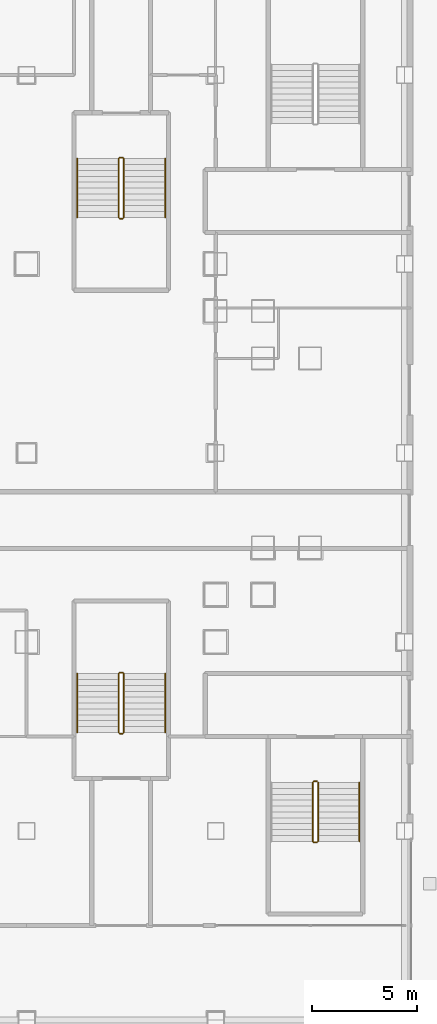
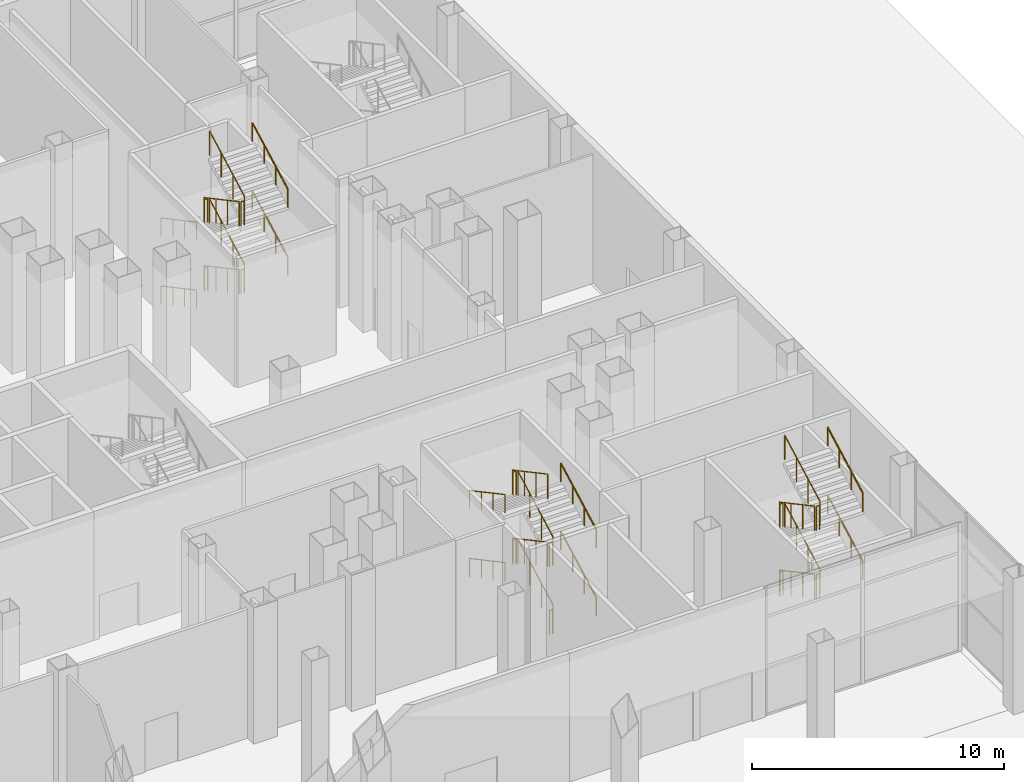
# One storey, part 35 of 38: 34 railings.
"""IFC4 building model written with IfcOpenShell, lengths in metres."""

import ifcopenshell
import ifcopenshell.guid

model = None  # the IFC model being written
_history = None  # IfcOwnerHistory: only IFC2X3 demands one
_inside = {}  # id of a spatial element -> (the spatial element, [elements in it])
_under = {}  # id of a project, library or spatial element -> (it, [spatial elements below it])
_declared = {}  # id of a project -> (the project, [libraries it declares])
_typed = {}  # id of a type object -> (the type object, [elements of that type])
_made_of = {}  # id of a material, layer set ... -> (it, [elements and type objects made of it])


def new_model(schema):
    """Start an empty IFC model of exactly this schema.

    Asked for "IFC4X3", IfcOpenShell would pick the latest addendum, in which some entities
    have other attributes; the version numbers below select the first issue.
    IFC2X3 requires an IfcOwnerHistory on every rooted entity: one is made here for all.
    """
    global model, _history
    if schema == "IFC4X3":
        model = ifcopenshell.file(schema_version=(4, 3, 0, 0))
    else:
        model = ifcopenshell.file(schema=schema)
    _inside.clear()
    _under.clear()
    _declared.clear()
    _typed.clear()
    _made_of.clear()
    _history = None
    if model.schema == "IFC2X3":
        org = make("IfcOrganization", Name="unknown")
        user = make(
            "IfcPersonAndOrganization",
            ThePerson=make("IfcPerson", FamilyName="unknown"),
            TheOrganization=org,
        )
        app = make(
            "IfcApplication",
            ApplicationDeveloper=org,
            Version="unknown",
            ApplicationFullName="unknown",
            ApplicationIdentifier="unknown",
        )
        _history = make(
            "IfcOwnerHistory",
            OwningUser=user,
            OwningApplication=app,
            ChangeAction="ADDED",
            CreationDate=0,
        )
    return model


def make(cls, **values):
    """One entity of the class cls with the attributes given. An attribute that is None is left unset."""
    return model.create_entity(
        cls, **{name: value for name, value in values.items() if value is not None}
    )


def rooted(cls, **values):
    """An entity with a GlobalId (a new one), such as an element, a storey or a relation."""
    return make(cls, GlobalId=ifcopenshell.guid.new(), OwnerHistory=_history, **values)


def si_unit(unit_type, name, prefix=None):
    """IfcSIUnit, for example si_unit("LENGTHUNIT", "METRE", prefix="MILLI")."""
    return make("IfcSIUnit", UnitType=unit_type, Prefix=prefix, Name=name)


def assignment(units):
    """IfcUnitAssignment: the units of a project."""
    return None if units is None else make("IfcUnitAssignment", Units=units)


def point(xyz):
    """IfcCartesianPoint."""
    return None if xyz is None else make("IfcCartesianPoint", Coordinates=xyz)


def direction(xyz):
    """IfcDirection."""
    return None if xyz is None else make("IfcDirection", DirectionRatios=xyz)


def frame(location, z_axis=None, x_axis=None):
    """IfcAxis2Placement3D, a coordinate frame: its origin and axes. An axis left out is left unset."""
    return make(
        "IfcAxis2Placement3D",
        Location=point(location),
        Axis=direction(z_axis),
        RefDirection=direction(x_axis),
    )


def frame_2d(location, x_axis=None):
    """IfcAxis2Placement2D, a coordinate frame in the plane: its origin and x axis."""
    return make(
        "IfcAxis2Placement2D", Location=point(location), RefDirection=direction(x_axis)
    )


def origin():
    """The frame at (0, 0, 0) with its axes left unset."""
    return frame((0.0, 0.0, 0.0))


def origin_2d():
    """The frame at (0, 0) in the plane with its x axis left unset."""
    return frame_2d((0.0, 0.0))


def place(relative_to, where):
    """IfcLocalPlacement: puts the frame where relative to a parent placement (None: the world)."""
    return make(
        "IfcLocalPlacement", PlacementRelTo=relative_to, RelativePlacement=where
    )


def context(
    kind, dimensions, precision=None, world=None, true_north=None, identifier=None
):
    """IfcGeometricRepresentationContext, for example the 3D "Model" context."""
    return make(
        "IfcGeometricRepresentationContext",
        ContextIdentifier=identifier,
        ContextType=kind,
        CoordinateSpaceDimension=dimensions,
        Precision=precision,
        WorldCoordinateSystem=world,
        TrueNorth=true_north,
    )


def subcontext(parent, identifier, kind, view, scale=None):
    """IfcGeometricRepresentationSubContext, for example "Body" below "Model"."""
    return make(
        "IfcGeometricRepresentationSubContext",
        ContextIdentifier=identifier,
        ContextType=kind,
        ParentContext=parent,
        TargetScale=scale,
        TargetView=view,
    )


def project(units=None, contexts=None):
    """IfcProject with its units and contexts."""
    return rooted(
        "IfcProject",
        Name="project",
        RepresentationContexts=contexts,
        UnitsInContext=assignment(units),
    )


def spatial(cls, under=None, at=None, **own):
    """A site, building, storey or space (cls), placed at a placement, below another one or the project."""
    s = rooted(cls, ObjectPlacement=at, **own)
    if under is not None:
        _under.setdefault(under.id(), (under, []))[1].append(s)
    return s


def profile(cls, at=None, kind="AREA", **sizes):
    """A parametric profile (cls). Its sizes go by their IFC names, for example OverallWidth=200.0."""
    return make(cls, ProfileType=kind, Position=at, **sizes)


def circle(**sizes):
    """IfcCircleProfileDef."""
    return profile("IfcCircleProfileDef", **sizes)


def extrude(swept, where, along, depth):
    """IfcExtrudedAreaSolid: the profile swept, set in the frame where, extruded along a direction by depth."""
    return make(
        "IfcExtrudedAreaSolid",
        SweptArea=swept,
        Position=where,
        ExtrudedDirection=direction(along),
        Depth=depth,
    )


def shape(context_of_items, identifier, shape_type, items):
    """IfcShapeRepresentation: the items that make up one representation, for example the "Body"."""
    return make(
        "IfcShapeRepresentation",
        ContextOfItems=context_of_items,
        RepresentationIdentifier=identifier,
        RepresentationType=shape_type,
        Items=items,
    )


def material(Name=None, Category=None):
    """IfcMaterial."""
    return make("IfcMaterial", Name=Name, Category=Category)


def made_of(thing, what):
    """Note that an element or type object is made of a material, layer set ...; save() writes the relation."""
    if what is not None:
        _made_of.setdefault(what.id(), (what, []))[1].append(thing)
    return thing


def type_object(cls, material=None, **own):
    """A type object (cls), such as IfcWallType, which elements share."""
    return made_of(rooted(cls, **own), material)


def element(
    cls,
    number,
    at=None,
    inside=None,
    cuts=None,
    type_object=None,
    material=None,
    context=None,
    identifier="Body",
    shape_type=None,
    held_by="IfcProductDefinitionShape",
    body=None,
    shapes=None,
    **own,
):
    """One element of the class cls, such as IfcWall. Its Tag is "e" and its number.

    at: its placement. inside: the storey or other place that contains it. cuts: it is an
    opening in that element (IfcRelVoidsElement). A single representation is given by context,
    identifier, shape_type and body (its items); several are given by shapes. held_by: the class
    of the entity that holds the representations. save() writes the other relations.
    """
    e = rooted(cls, Tag="e%d" % number, ObjectPlacement=at, **own)
    if body is not None:
        shapes = [shape(context, identifier, shape_type, body)]
    if shapes is not None:
        e.Representation = make(held_by, Representations=shapes)
    if inside is not None:
        _inside.setdefault(inside.id(), (inside, []))[1].append(e)
    if cuts is not None:
        rooted(
            "IfcRelVoidsElement", RelatingBuildingElement=cuts, RelatedOpeningElement=e
        )
    if type_object is not None:
        _typed.setdefault(type_object.id(), (type_object, []))[1].append(e)
    return made_of(e, material)


def aggregate(whole, parts):
    """IfcRelAggregates: a whole, such as a stair, and the parts it consists of."""
    return rooted("IfcRelAggregates", RelatingObject=whole, RelatedObjects=parts)


def save(model, path):
    """Write the relations noted so far, then the file.

    IfcRelAggregates (storeys below a building ...), IfcRelContainedInSpatialStructure (elements
    in a storey), IfcRelDefinesByType, IfcRelAssociatesMaterial and IfcRelDeclares: one each for
    every whole, place, type object, material and project.
    """
    for whole, parts in _under.values():
        aggregate(whole, parts)
    for where, things in _inside.values():
        rooted(
            "IfcRelContainedInSpatialStructure",
            RelatedElements=things,
            RelatingStructure=where,
        )
    for kind, things in _typed.values():
        rooted("IfcRelDefinesByType", RelatedObjects=things, RelatingType=kind)
    for what, things in _made_of.values():
        rooted("IfcRelAssociatesMaterial", RelatedObjects=things, RelatingMaterial=what)
    for by, libraries in _declared.values():
        rooted("IfcRelDeclares", RelatingContext=by, RelatedDefinitions=libraries)
    model.write(path)


model = new_model("IFC4")

# Units and contexts
model_context = context("Model", 3, precision=1e-05, world=origin(), true_north=direction((0.0, 1.0)))
body_context = subcontext(model_context, "Body", "Model", "MODEL_VIEW")
ifc_project = project(units=[si_unit("LENGTHUNIT", "METRE"), si_unit("AREAUNIT", "SQUARE_METRE"), si_unit("VOLUMEUNIT", "CUBIC_METRE"), si_unit("PLANEANGLEUNIT", "RADIAN"), si_unit("MASSUNIT", "GRAM", prefix="KILO")], contexts=[model_context])

# Site, building, storey
site_placement = place(None, origin())
site = spatial("IfcSite", under=ifc_project, at=site_placement, CompositionType="ELEMENT")
building_placement = place(site_placement, origin())
building = spatial("IfcBuilding", under=site, at=building_placement, Name="Caravel Reach Hotel and Residences", CompositionType="ELEMENT")
storey_placement = place(building_placement, origin())
storey = spatial("IfcBuildingStorey", under=building, at=storey_placement, Name="L00", CompositionType="ELEMENT", Elevation=0.0)

# Railings
ifc_material_1 = material(Name="Steel balustrade with glass infill", Category="steel")
railing_type_1 = type_object("IfcRailingType", Name="Guard 1200", PredefinedType="GUARDRAIL", material=ifc_material_1)
railing_1_placement = place(storey_placement, frame((53.875, 41.010009765625, 0.14990234375)))
element("IfcRailing", 1, at=railing_1_placement, inside=storey, type_object=railing_type_1, Name="L00 ST-P2 stair guard 1", PredefinedType="GUARDRAIL", context=body_context, shape_type="SweptSolid", body=[
    extrude(circle(Radius=0.02392578125, at=origin_2d()), frame((0.0, 0.0, 1.17578125), z_axis=(0.0, -0.881483397762, 0.472215014025), x_axis=(1.0, 0.0, 0.0)), (0.0, 0.0, 1.0), 3.176513671875),
    extrude(circle(Radius=0.02099609375, at=origin_2d()), origin(), (0.0, 0.0, 1.0), 1.15185546875),
    extrude(circle(Radius=0.02099609375, at=origin_2d()), frame((0.0, -0.933349609375, 0.5)), (0.0, 0.0, 1.0), 1.15185546875),
    extrude(circle(Radius=0.02099609375, at=origin_2d()), frame((0.0, -1.86669921875, 1.0)), (0.0, 0.0, 1.0), 1.15185546875),
    extrude(circle(Radius=0.02099609375, at=origin_2d()), frame((0.0, -2.800048828125, 1.5)), (0.0, 0.0, 1.0), 1.15185546875),
])
railing_2_placement = place(storey_placement, frame((53.925048828125, 38.159912109375, 1.64990234375)))
element("IfcRailing", 2, at=railing_2_placement, inside=storey, type_object=railing_type_1, Name="L00 ST-P2 stair guard 2", PredefinedType="GUARDRAIL", context=body_context, shape_type="SweptSolid", body=[
    extrude(circle(Radius=0.02392578125, at=origin_2d()), frame((0.0, 0.0, 1.17578125), z_axis=(1.0, 0.0, 0.0), x_axis=(0.0, 1.0, 0.0)), (0.0, 0.0, 1.0), 0.14990234375),
    extrude(circle(Radius=0.02099609375, at=origin_2d()), origin(), (0.0, 0.0, 1.0), 1.15185546875),
    extrude(circle(Radius=0.02099609375, at=origin_2d()), frame((0.14990234375, 0.0, 0.0)), (0.0, 0.0, 1.0), 1.15185546875),
])
railing_3_placement = place(storey_placement, frame((54.125, 38.2099609375, 1.800048828125)))
element("IfcRailing", 3, at=railing_3_placement, inside=storey, type_object=railing_type_1, Name="L00 ST-P2 stair guard 3", PredefinedType="GUARDRAIL", context=body_context, shape_type="SweptSolid", body=[
    extrude(circle(Radius=0.02392578125, at=origin_2d()), frame((0.0, 0.0, 1.17578125), z_axis=(0.0, 0.881483397762, 0.472215014025), x_axis=(-1.0, 0.0, 0.0)), (0.0, 0.0, 1.0), 3.176513671875),
    extrude(circle(Radius=0.02099609375, at=origin_2d()), origin(), (0.0, 0.0, 1.0), 1.15185546875),
    extrude(circle(Radius=0.02099609375, at=origin_2d()), frame((0.0, 0.933349609375, 0.5)), (0.0, 0.0, 1.0), 1.15185546875),
    extrude(circle(Radius=0.02099609375, at=origin_2d()), frame((0.0, 1.86669921875, 1.0)), (0.0, 0.0, 1.0), 1.15185546875),
    extrude(circle(Radius=0.02099609375, at=origin_2d()), frame((0.0, 2.800048828125, 1.5)), (0.0, 0.0, 1.0), 1.15185546875),
])
railing_4_placement = place(storey_placement, frame((53.925048828125, 41.06005859375, 3.300048828125)))
element("IfcRailing", 4, at=railing_4_placement, inside=storey, type_object=railing_type_1, Name="L00 ST-P2 stair guard 4", PredefinedType="GUARDRAIL", context=body_context, shape_type="SweptSolid", body=[
    extrude(circle(Radius=0.02392578125, at=origin_2d()), frame((0.0, 0.0, 1.17578125), z_axis=(1.0, 0.0, 0.0), x_axis=(0.0, 1.0, 0.0)), (0.0, 0.0, 1.0), 0.14990234375),
    extrude(circle(Radius=0.02099609375, at=origin_2d()), origin(), (0.0, 0.0, 1.0), 1.15185546875),
    extrude(circle(Radius=0.02099609375, at=origin_2d()), frame((0.14990234375, 0.0, 0.0)), (0.0, 0.0, 1.0), 1.15185546875),
])
railing_5_placement = place(storey_placement, frame((53.875, 41.010009765625, 3.449951171875)))
element("IfcRailing", 5, at=railing_5_placement, inside=storey, type_object=railing_type_1, Name="L00 ST-P2 stair guard 5", PredefinedType="GUARDRAIL", context=body_context, shape_type="SweptSolid", body=[
    extrude(circle(Radius=0.02392578125, at=origin_2d()), frame((0.0, 0.0, 1.17578125), z_axis=(0.0, -0.881483397762, 0.472215014025), x_axis=(1.0, 0.0, 0.0)), (0.0, 0.0, 1.0), 3.176513671875),
    extrude(circle(Radius=0.02099609375, at=origin_2d()), origin(), (0.0, 0.0, 1.0), 1.15185546875),
    extrude(circle(Radius=0.02099609375, at=origin_2d()), frame((0.0, -0.933349609375, 0.5)), (0.0, 0.0, 1.0), 1.15185546875),
    extrude(circle(Radius=0.02099609375, at=origin_2d()), frame((0.0, -1.86669921875, 1.0)), (0.0, 0.0, 1.0), 1.15185546875),
    extrude(circle(Radius=0.02099609375, at=origin_2d()), frame((0.0, -2.800048828125, 1.5)), (0.0, 0.0, 1.0), 1.15185546875),
])
railing_6_placement = place(storey_placement, frame((53.925048828125, 38.159912109375, 4.949951171875)))
element("IfcRailing", 6, at=railing_6_placement, inside=storey, type_object=railing_type_1, Name="L00 ST-P2 stair guard 6", PredefinedType="GUARDRAIL", context=body_context, shape_type="SweptSolid", body=[
    extrude(circle(Radius=0.02392578125, at=origin_2d()), frame((0.0, 0.0, 1.17578125), z_axis=(1.0, 0.0, 0.0), x_axis=(0.0, 1.0, 0.0)), (0.0, 0.0, 1.0), 0.14990234375),
    extrude(circle(Radius=0.02099609375, at=origin_2d()), origin(), (0.0, 0.0, 1.0), 1.15185546875),
    extrude(circle(Radius=0.02099609375, at=origin_2d()), frame((0.14990234375, 0.0, 0.0)), (0.0, 0.0, 1.0), 1.15185546875),
])
railing_7_placement = place(storey_placement, frame((54.125, 38.2099609375, 5.10009765625)))
element("IfcRailing", 7, at=railing_7_placement, inside=storey, type_object=railing_type_1, Name="L00 ST-P2 stair guard 7", PredefinedType="GUARDRAIL", context=body_context, shape_type="SweptSolid", body=[
    extrude(circle(Radius=0.02392578125, at=origin_2d()), frame((0.0, 0.0, 1.17578125), z_axis=(0.0, 0.881483397762, 0.472215014025), x_axis=(-1.0, 0.0, 0.0)), (0.0, 0.0, 1.0), 3.176513671875),
    extrude(circle(Radius=0.02099609375, at=origin_2d()), origin(), (0.0, 0.0, 1.0), 1.15185546875),
    extrude(circle(Radius=0.02099609375, at=origin_2d()), frame((0.0, 0.933349609375, 0.5)), (0.0, 0.0, 1.0), 1.15185546875),
    extrude(circle(Radius=0.02099609375, at=origin_2d()), frame((0.0, 1.86669921875, 1.0)), (0.0, 0.0, 1.0), 1.15185546875),
    extrude(circle(Radius=0.02099609375, at=origin_2d()), frame((0.0, 2.800048828125, 1.5)), (0.0, 0.0, 1.0), 1.15185546875),
])
railing_8_placement = place(storey_placement, frame((53.925048828125, 41.06005859375, 0.0)))
element("IfcRailing", 8, at=railing_8_placement, inside=storey, type_object=railing_type_1, Name="L00 ST-P2 stair guard 8", PredefinedType="GUARDRAIL", context=body_context, shape_type="SweptSolid", body=[
    extrude(circle(Radius=0.02392578125, at=origin_2d()), frame((0.0, 0.0, 1.17578125), z_axis=(1.0, 0.0, 0.0), x_axis=(0.0, 1.0, 0.0)), (0.0, 0.0, 1.0), 0.14990234375),
    extrude(circle(Radius=0.02099609375, at=origin_2d()), origin(), (0.0, 0.0, 1.0), 1.15185546875),
    extrude(circle(Radius=0.02099609375, at=origin_2d()), frame((0.14990234375, 0.0, 0.0)), (0.0, 0.0, 1.0), 1.15185546875),
])
railing_9_placement = place(storey_placement, frame((54.125, 13.68994140625, 0.14990234375)))
element("IfcRailing", 9, at=railing_9_placement, inside=storey, type_object=railing_type_1, Name="L00 ST-P4 stair guard 1", PredefinedType="GUARDRAIL", context=body_context, shape_type="SweptSolid", body=[
    extrude(circle(Radius=0.02392578125, at=origin_2d()), frame((0.0, 0.0, 1.17578125), z_axis=(0.0, 0.881483397762, 0.472215014025), x_axis=(-1.0, 0.0, 0.0)), (0.0, 0.0, 1.0), 3.176513671875),
    extrude(circle(Radius=0.02099609375, at=origin_2d()), origin(), (0.0, 0.0, 1.0), 1.15185546875),
    extrude(circle(Radius=0.02099609375, at=origin_2d()), frame((0.0, 0.933349609375, 0.5)), (0.0, 0.0, 1.0), 1.15185546875),
    extrude(circle(Radius=0.02099609375, at=origin_2d()), frame((0.0, 1.86669921875, 1.0)), (0.0, 0.0, 1.0), 1.15185546875),
    extrude(circle(Radius=0.02099609375, at=origin_2d()), frame((0.0, 2.800048828125, 1.5)), (0.0, 0.0, 1.0), 1.15185546875),
])
railing_10_placement = place(storey_placement, frame((54.074951171875, 16.5400390625, 1.64990234375)))
element("IfcRailing", 10, at=railing_10_placement, inside=storey, type_object=railing_type_1, Name="L00 ST-P4 stair guard 2", PredefinedType="GUARDRAIL", context=body_context, shape_type="SweptSolid", body=[
    extrude(circle(Radius=0.02392578125, at=origin_2d()), frame((0.0, 0.0, 1.17578125), z_axis=(-1.0, 0.0, 0.0), x_axis=(0.0, -1.0, 0.0)), (0.0, 0.0, 1.0), 0.14990234375),
    extrude(circle(Radius=0.02099609375, at=origin_2d()), origin(), (0.0, 0.0, 1.0), 1.15185546875),
    extrude(circle(Radius=0.02099609375, at=origin_2d()), frame((-0.14990234375, 0.0, 0.0)), (0.0, 0.0, 1.0), 1.15185546875),
])
railing_11_placement = place(storey_placement, frame((53.875, 16.489990234375, 1.800048828125)))
element("IfcRailing", 11, at=railing_11_placement, inside=storey, type_object=railing_type_1, Name="L00 ST-P4 stair guard 3", PredefinedType="GUARDRAIL", context=body_context, shape_type="SweptSolid", body=[
    extrude(circle(Radius=0.02392578125, at=origin_2d()), frame((0.0, 0.0, 1.17578125), z_axis=(0.0, -0.881483397762, 0.472215014025), x_axis=(1.0, 0.0, 0.0)), (0.0, 0.0, 1.0), 3.176513671875),
    extrude(circle(Radius=0.02099609375, at=origin_2d()), origin(), (0.0, 0.0, 1.0), 1.15185546875),
    extrude(circle(Radius=0.02099609375, at=origin_2d()), frame((0.0, -0.933349609375, 0.5)), (0.0, 0.0, 1.0), 1.15185546875),
    extrude(circle(Radius=0.02099609375, at=origin_2d()), frame((0.0, -1.86669921875, 1.0)), (0.0, 0.0, 1.0), 1.15185546875),
    extrude(circle(Radius=0.02099609375, at=origin_2d()), frame((0.0, -2.800048828125, 1.5)), (0.0, 0.0, 1.0), 1.15185546875),
])
railing_12_placement = place(storey_placement, frame((54.074951171875, 13.639892578125, 3.300048828125)))
element("IfcRailing", 12, at=railing_12_placement, inside=storey, type_object=railing_type_1, Name="L00 ST-P4 stair guard 4", PredefinedType="GUARDRAIL", context=body_context, shape_type="SweptSolid", body=[
    extrude(circle(Radius=0.02392578125, at=origin_2d()), frame((0.0, 0.0, 1.17578125), z_axis=(-1.0, 0.0, 0.0), x_axis=(0.0, -1.0, 0.0)), (0.0, 0.0, 1.0), 0.14990234375),
    extrude(circle(Radius=0.02099609375, at=origin_2d()), origin(), (0.0, 0.0, 1.0), 1.15185546875),
    extrude(circle(Radius=0.02099609375, at=origin_2d()), frame((-0.14990234375, 0.0, 0.0)), (0.0, 0.0, 1.0), 1.15185546875),
])
railing_13_placement = place(storey_placement, frame((54.125, 13.68994140625, 3.449951171875)))
element("IfcRailing", 13, at=railing_13_placement, inside=storey, type_object=railing_type_1, Name="L00 ST-P4 stair guard 5", PredefinedType="GUARDRAIL", context=body_context, shape_type="SweptSolid", body=[
    extrude(circle(Radius=0.02392578125, at=origin_2d()), frame((0.0, 0.0, 1.17578125), z_axis=(0.0, 0.881483397762, 0.472215014025), x_axis=(-1.0, 0.0, 0.0)), (0.0, 0.0, 1.0), 3.176513671875),
    extrude(circle(Radius=0.02099609375, at=origin_2d()), origin(), (0.0, 0.0, 1.0), 1.15185546875),
    extrude(circle(Radius=0.02099609375, at=origin_2d()), frame((0.0, 0.933349609375, 0.5)), (0.0, 0.0, 1.0), 1.15185546875),
    extrude(circle(Radius=0.02099609375, at=origin_2d()), frame((0.0, 1.86669921875, 1.0)), (0.0, 0.0, 1.0), 1.15185546875),
    extrude(circle(Radius=0.02099609375, at=origin_2d()), frame((0.0, 2.800048828125, 1.5)), (0.0, 0.0, 1.0), 1.15185546875),
])
railing_14_placement = place(storey_placement, frame((54.074951171875, 16.5400390625, 4.949951171875)))
element("IfcRailing", 14, at=railing_14_placement, inside=storey, type_object=railing_type_1, Name="L00 ST-P4 stair guard 6", PredefinedType="GUARDRAIL", context=body_context, shape_type="SweptSolid", body=[
    extrude(circle(Radius=0.02392578125, at=origin_2d()), frame((0.0, 0.0, 1.17578125), z_axis=(-1.0, 0.0, 0.0), x_axis=(0.0, -1.0, 0.0)), (0.0, 0.0, 1.0), 0.14990234375),
    extrude(circle(Radius=0.02099609375, at=origin_2d()), origin(), (0.0, 0.0, 1.0), 1.15185546875),
    extrude(circle(Radius=0.02099609375, at=origin_2d()), frame((-0.14990234375, 0.0, 0.0)), (0.0, 0.0, 1.0), 1.15185546875),
])
railing_15_placement = place(storey_placement, frame((53.875, 16.489990234375, 5.10009765625)))
element("IfcRailing", 15, at=railing_15_placement, inside=storey, type_object=railing_type_1, Name="L00 ST-P4 stair guard 7", PredefinedType="GUARDRAIL", context=body_context, shape_type="SweptSolid", body=[
    extrude(circle(Radius=0.02392578125, at=origin_2d()), frame((0.0, 0.0, 1.17578125), z_axis=(0.0, -0.881483397762, 0.472215014025), x_axis=(1.0, 0.0, 0.0)), (0.0, 0.0, 1.0), 3.176513671875),
    extrude(circle(Radius=0.02099609375, at=origin_2d()), origin(), (0.0, 0.0, 1.0), 1.15185546875),
    extrude(circle(Radius=0.02099609375, at=origin_2d()), frame((0.0, -0.933349609375, 0.5)), (0.0, 0.0, 1.0), 1.15185546875),
    extrude(circle(Radius=0.02099609375, at=origin_2d()), frame((0.0, -1.86669921875, 1.0)), (0.0, 0.0, 1.0), 1.15185546875),
    extrude(circle(Radius=0.02099609375, at=origin_2d()), frame((0.0, -2.800048828125, 1.5)), (0.0, 0.0, 1.0), 1.15185546875),
])
railing_16_placement = place(storey_placement, frame((54.074951171875, 13.639892578125, 0.0)))
element("IfcRailing", 16, at=railing_16_placement, inside=storey, type_object=railing_type_1, Name="L00 ST-P4 stair guard 8", PredefinedType="GUARDRAIL", context=body_context, shape_type="SweptSolid", body=[
    extrude(circle(Radius=0.02392578125, at=origin_2d()), frame((0.0, 0.0, 1.17578125), z_axis=(-1.0, 0.0, 0.0), x_axis=(0.0, -1.0, 0.0)), (0.0, 0.0, 1.0), 0.14990234375),
    extrude(circle(Radius=0.02099609375, at=origin_2d()), origin(), (0.0, 0.0, 1.0), 1.15185546875),
    extrude(circle(Radius=0.02099609375, at=origin_2d()), frame((-0.14990234375, 0.0, 0.0)), (0.0, 0.0, 1.0), 1.15185546875),
])
railing_17_placement = place(storey_placement, frame((63.125, 11.31005859375, 0.14990234375)))
element("IfcRailing", 17, at=railing_17_placement, inside=storey, type_object=railing_type_1, Name="L00 ST-P7 stair guard 1", PredefinedType="GUARDRAIL", context=body_context, shape_type="SweptSolid", body=[
    extrude(circle(Radius=0.02392578125, at=origin_2d()), frame((0.0, 0.0, 1.17578125), z_axis=(0.0, -0.881483397762, 0.472215014025), x_axis=(1.0, 0.0, 0.0)), (0.0, 0.0, 1.0), 3.176513671875),
    extrude(circle(Radius=0.02099609375, at=origin_2d()), origin(), (0.0, 0.0, 1.0), 1.15185546875),
    extrude(circle(Radius=0.02099609375, at=origin_2d()), frame((0.0, -0.933349609375, 0.5)), (0.0, 0.0, 1.0), 1.15185546875),
    extrude(circle(Radius=0.02099609375, at=origin_2d()), frame((0.0, -1.86669921875, 1.0)), (0.0, 0.0, 1.0), 1.15185546875),
    extrude(circle(Radius=0.02099609375, at=origin_2d()), frame((0.0, -2.800048828125, 1.5)), (0.0, 0.0, 1.0), 1.15185546875),
])
railing_18_placement = place(storey_placement, frame((63.175048828125, 8.4599609375, 1.64990234375)))
element("IfcRailing", 18, at=railing_18_placement, inside=storey, type_object=railing_type_1, Name="L00 ST-P7 stair guard 2", PredefinedType="GUARDRAIL", context=body_context, shape_type="SweptSolid", body=[
    extrude(circle(Radius=0.02392578125, at=origin_2d()), frame((0.0, 0.0, 1.17578125), z_axis=(1.0, 0.0, 0.0), x_axis=(0.0, 1.0, 0.0)), (0.0, 0.0, 1.0), 0.14990234375),
    extrude(circle(Radius=0.02099609375, at=origin_2d()), origin(), (0.0, 0.0, 1.0), 1.15185546875),
    extrude(circle(Radius=0.02099609375, at=origin_2d()), frame((0.14990234375, 0.0, 0.0)), (0.0, 0.0, 1.0), 1.15185546875),
])
railing_19_placement = place(storey_placement, frame((63.375, 8.510009765625, 1.800048828125)))
element("IfcRailing", 19, at=railing_19_placement, inside=storey, type_object=railing_type_1, Name="L00 ST-P7 stair guard 3", PredefinedType="GUARDRAIL", context=body_context, shape_type="SweptSolid", body=[
    extrude(circle(Radius=0.02392578125, at=origin_2d()), frame((0.0, 0.0, 1.17578125), z_axis=(0.0, 0.881483397762, 0.472215014025), x_axis=(-1.0, 0.0, 0.0)), (0.0, 0.0, 1.0), 3.176513671875),
    extrude(circle(Radius=0.02099609375, at=origin_2d()), origin(), (0.0, 0.0, 1.0), 1.15185546875),
    extrude(circle(Radius=0.02099609375, at=origin_2d()), frame((0.0, 0.933349609375, 0.5)), (0.0, 0.0, 1.0), 1.15185546875),
    extrude(circle(Radius=0.02099609375, at=origin_2d()), frame((0.0, 1.86669921875, 1.0)), (0.0, 0.0, 1.0), 1.15185546875),
    extrude(circle(Radius=0.02099609375, at=origin_2d()), frame((0.0, 2.800048828125, 1.5)), (0.0, 0.0, 1.0), 1.15185546875),
])
railing_20_placement = place(storey_placement, frame((63.175048828125, 11.360107421875, 3.300048828125)))
element("IfcRailing", 20, at=railing_20_placement, inside=storey, type_object=railing_type_1, Name="L00 ST-P7 stair guard 4", PredefinedType="GUARDRAIL", context=body_context, shape_type="SweptSolid", body=[
    extrude(circle(Radius=0.02392578125, at=origin_2d()), frame((0.0, 0.0, 1.17578125), z_axis=(1.0, 0.0, 0.0), x_axis=(0.0, 1.0, 0.0)), (0.0, 0.0, 1.0), 0.14990234375),
    extrude(circle(Radius=0.02099609375, at=origin_2d()), origin(), (0.0, 0.0, 1.0), 1.15185546875),
    extrude(circle(Radius=0.02099609375, at=origin_2d()), frame((0.14990234375, 0.0, 0.0)), (0.0, 0.0, 1.0), 1.15185546875),
])
railing_21_placement = place(storey_placement, frame((63.125, 11.31005859375, 3.449951171875)))
element("IfcRailing", 21, at=railing_21_placement, inside=storey, type_object=railing_type_1, Name="L00 ST-P7 stair guard 5", PredefinedType="GUARDRAIL", context=body_context, shape_type="SweptSolid", body=[
    extrude(circle(Radius=0.02392578125, at=origin_2d()), frame((0.0, 0.0, 1.17578125), z_axis=(0.0, -0.881483397762, 0.472215014025), x_axis=(1.0, 0.0, 0.0)), (0.0, 0.0, 1.0), 3.176513671875),
    extrude(circle(Radius=0.02099609375, at=origin_2d()), origin(), (0.0, 0.0, 1.0), 1.15185546875),
    extrude(circle(Radius=0.02099609375, at=origin_2d()), frame((0.0, -0.933349609375, 0.5)), (0.0, 0.0, 1.0), 1.15185546875),
    extrude(circle(Radius=0.02099609375, at=origin_2d()), frame((0.0, -1.86669921875, 1.0)), (0.0, 0.0, 1.0), 1.15185546875),
    extrude(circle(Radius=0.02099609375, at=origin_2d()), frame((0.0, -2.800048828125, 1.5)), (0.0, 0.0, 1.0), 1.15185546875),
])
railing_22_placement = place(storey_placement, frame((63.175048828125, 8.4599609375, 4.949951171875)))
element("IfcRailing", 22, at=railing_22_placement, inside=storey, type_object=railing_type_1, Name="L00 ST-P7 stair guard 6", PredefinedType="GUARDRAIL", context=body_context, shape_type="SweptSolid", body=[
    extrude(circle(Radius=0.02392578125, at=origin_2d()), frame((0.0, 0.0, 1.17578125), z_axis=(1.0, 0.0, 0.0), x_axis=(0.0, 1.0, 0.0)), (0.0, 0.0, 1.0), 0.14990234375),
    extrude(circle(Radius=0.02099609375, at=origin_2d()), origin(), (0.0, 0.0, 1.0), 1.15185546875),
    extrude(circle(Radius=0.02099609375, at=origin_2d()), frame((0.14990234375, 0.0, 0.0)), (0.0, 0.0, 1.0), 1.15185546875),
])
railing_23_placement = place(storey_placement, frame((63.375, 8.510009765625, 5.10009765625)))
element("IfcRailing", 23, at=railing_23_placement, inside=storey, type_object=railing_type_1, Name="L00 ST-P7 stair guard 7", PredefinedType="GUARDRAIL", context=body_context, shape_type="SweptSolid", body=[
    extrude(circle(Radius=0.02392578125, at=origin_2d()), frame((0.0, 0.0, 1.17578125), z_axis=(0.0, 0.881483397762, 0.472215014025), x_axis=(-1.0, 0.0, 0.0)), (0.0, 0.0, 1.0), 3.176513671875),
    extrude(circle(Radius=0.02099609375, at=origin_2d()), origin(), (0.0, 0.0, 1.0), 1.15185546875),
    extrude(circle(Radius=0.02099609375, at=origin_2d()), frame((0.0, 0.933349609375, 0.5)), (0.0, 0.0, 1.0), 1.15185546875),
    extrude(circle(Radius=0.02099609375, at=origin_2d()), frame((0.0, 1.86669921875, 1.0)), (0.0, 0.0, 1.0), 1.15185546875),
    extrude(circle(Radius=0.02099609375, at=origin_2d()), frame((0.0, 2.800048828125, 1.5)), (0.0, 0.0, 1.0), 1.15185546875),
])
railing_24_placement = place(storey_placement, frame((63.175048828125, 11.360107421875, 0.0)))
element("IfcRailing", 24, at=railing_24_placement, inside=storey, type_object=railing_type_1, Name="L00 ST-P7 stair guard 8", PredefinedType="GUARDRAIL", context=body_context, shape_type="SweptSolid", body=[
    extrude(circle(Radius=0.02392578125, at=origin_2d()), frame((0.0, 0.0, 1.17578125), z_axis=(1.0, 0.0, 0.0), x_axis=(0.0, 1.0, 0.0)), (0.0, 0.0, 1.0), 0.14990234375),
    extrude(circle(Radius=0.02099609375, at=origin_2d()), origin(), (0.0, 0.0, 1.0), 1.15185546875),
    extrude(circle(Radius=0.02099609375, at=origin_2d()), frame((0.14990234375, 0.0, 0.0)), (0.0, 0.0, 1.0), 1.15185546875),
])
ifc_material_2 = material(Name="Stainless steel handrail", Category="steel")
railing_type_2 = type_object("IfcRailingType", Name="Handrail 900", PredefinedType="HANDRAIL", material=ifc_material_2)
railing_25_placement = place(storey_placement, frame((51.905029296875, 41.010009765625, 0.14990234375)))
element("IfcRailing", 25, at=railing_25_placement, inside=storey, type_object=railing_type_2, Name="L00 ST-P2 stair handrail 1", PredefinedType="HANDRAIL", context=body_context, shape_type="SweptSolid", body=[
    extrude(circle(Radius=0.02392578125, at=origin_2d()), frame((0.0, 0.0, 0.8759765625), z_axis=(0.0, -0.881483397762, 0.472215014025), x_axis=(1.0, 0.0, 0.0)), (0.0, 0.0, 1.0), 3.176513671875),
    extrude(circle(Radius=0.02099609375, at=origin_2d()), origin(), (0.0, 0.0, 1.0), 0.851806640625),
    extrude(circle(Radius=0.02099609375, at=origin_2d()), frame((0.0, -0.933349609375, 0.5)), (0.0, 0.0, 1.0), 0.851806640625),
    extrude(circle(Radius=0.02099609375, at=origin_2d()), frame((0.0, -1.86669921875, 1.0)), (0.0, 0.0, 1.0), 0.851806640625),
    extrude(circle(Radius=0.02099609375, at=origin_2d()), frame((0.0, -2.800048828125, 1.5)), (0.0, 0.0, 1.0), 0.851806640625),
])
railing_26_placement = place(storey_placement, frame((56.094970703125, 38.2099609375, 1.800048828125)))
element("IfcRailing", 26, at=railing_26_placement, inside=storey, type_object=railing_type_2, Name="L00 ST-P2 stair handrail 2", PredefinedType="HANDRAIL", context=body_context, shape_type="SweptSolid", body=[
    extrude(circle(Radius=0.02392578125, at=origin_2d()), frame((0.0, 0.0, 0.8759765625), z_axis=(0.0, 0.881483397762, 0.472215014025), x_axis=(-1.0, 0.0, 0.0)), (0.0, 0.0, 1.0), 3.176513671875),
    extrude(circle(Radius=0.02099609375, at=origin_2d()), origin(), (0.0, 0.0, 1.0), 0.851806640625),
    extrude(circle(Radius=0.02099609375, at=origin_2d()), frame((0.0, 0.933349609375, 0.5)), (0.0, 0.0, 1.0), 0.851806640625),
    extrude(circle(Radius=0.02099609375, at=origin_2d()), frame((0.0, 1.86669921875, 1.0)), (0.0, 0.0, 1.0), 0.851806640625),
    extrude(circle(Radius=0.02099609375, at=origin_2d()), frame((0.0, 2.800048828125, 1.5)), (0.0, 0.0, 1.0), 0.851806640625),
])
railing_27_placement = place(storey_placement, frame((51.905029296875, 41.010009765625, 3.449951171875)))
element("IfcRailing", 27, at=railing_27_placement, inside=storey, type_object=railing_type_2, Name="L00 ST-P2 stair handrail 3", PredefinedType="HANDRAIL", context=body_context, shape_type="SweptSolid", body=[
    extrude(circle(Radius=0.02392578125, at=origin_2d()), frame((0.0, 0.0, 0.8759765625), z_axis=(0.0, -0.881483397762, 0.472215014025), x_axis=(1.0, 0.0, 0.0)), (0.0, 0.0, 1.0), 3.176513671875),
    extrude(circle(Radius=0.02099609375, at=origin_2d()), origin(), (0.0, 0.0, 1.0), 0.851806640625),
    extrude(circle(Radius=0.02099609375, at=origin_2d()), frame((0.0, -0.933349609375, 0.5)), (0.0, 0.0, 1.0), 0.851806640625),
    extrude(circle(Radius=0.02099609375, at=origin_2d()), frame((0.0, -1.86669921875, 1.0)), (0.0, 0.0, 1.0), 0.851806640625),
    extrude(circle(Radius=0.02099609375, at=origin_2d()), frame((0.0, -2.800048828125, 1.5)), (0.0, 0.0, 1.0), 0.851806640625),
])
for number, where, name in (
    (28, (56.094970703125, 38.2099609375, 5.10009765625), "L00 ST-P2 stair handrail 4"),
    (29, (56.094970703125, 13.68994140625, 0.14990234375), "L00 ST-P4 stair handrail 1"),
):
    element("IfcRailing", number, at=place(storey_placement, frame(where)), inside=storey, type_object=railing_type_2, Name=name, PredefinedType="HANDRAIL", context=body_context, shape_type="SweptSolid", body=[
        extrude(circle(Radius=0.02392578125, at=origin_2d()), frame((0.0, 0.0, 0.8759765625), z_axis=(0.0, 0.881483397762, 0.472215014025), x_axis=(-1.0, 0.0, 0.0)), (0.0, 0.0, 1.0), 3.176513671875),
        extrude(circle(Radius=0.02099609375, at=origin_2d()), origin(), (0.0, 0.0, 1.0), 0.851806640625),
        extrude(circle(Radius=0.02099609375, at=origin_2d()), frame((0.0, 0.933349609375, 0.5)), (0.0, 0.0, 1.0), 0.851806640625),
        extrude(circle(Radius=0.02099609375, at=origin_2d()), frame((0.0, 1.86669921875, 1.0)), (0.0, 0.0, 1.0), 0.851806640625),
        extrude(circle(Radius=0.02099609375, at=origin_2d()), frame((0.0, 2.800048828125, 1.5)), (0.0, 0.0, 1.0), 0.851806640625),
    ])
railing_28_placement = place(storey_placement, frame((51.905029296875, 16.489990234375, 1.800048828125)))
element("IfcRailing", 30, at=railing_28_placement, inside=storey, type_object=railing_type_2, Name="L00 ST-P4 stair handrail 2", PredefinedType="HANDRAIL", context=body_context, shape_type="SweptSolid", body=[
    extrude(circle(Radius=0.02392578125, at=origin_2d()), frame((0.0, 0.0, 0.8759765625), z_axis=(0.0, -0.881483397762, 0.472215014025), x_axis=(1.0, 0.0, 0.0)), (0.0, 0.0, 1.0), 3.176513671875),
    extrude(circle(Radius=0.02099609375, at=origin_2d()), origin(), (0.0, 0.0, 1.0), 0.851806640625),
    extrude(circle(Radius=0.02099609375, at=origin_2d()), frame((0.0, -0.933349609375, 0.5)), (0.0, 0.0, 1.0), 0.851806640625),
    extrude(circle(Radius=0.02099609375, at=origin_2d()), frame((0.0, -1.86669921875, 1.0)), (0.0, 0.0, 1.0), 0.851806640625),
    extrude(circle(Radius=0.02099609375, at=origin_2d()), frame((0.0, -2.800048828125, 1.5)), (0.0, 0.0, 1.0), 0.851806640625),
])
railing_29_placement = place(storey_placement, frame((56.094970703125, 13.68994140625, 3.449951171875)))
element("IfcRailing", 31, at=railing_29_placement, inside=storey, type_object=railing_type_2, Name="L00 ST-P4 stair handrail 3", PredefinedType="HANDRAIL", context=body_context, shape_type="SweptSolid", body=[
    extrude(circle(Radius=0.02392578125, at=origin_2d()), frame((0.0, 0.0, 0.8759765625), z_axis=(0.0, 0.881483397762, 0.472215014025), x_axis=(-1.0, 0.0, 0.0)), (0.0, 0.0, 1.0), 3.176513671875),
    extrude(circle(Radius=0.02099609375, at=origin_2d()), origin(), (0.0, 0.0, 1.0), 0.851806640625),
    extrude(circle(Radius=0.02099609375, at=origin_2d()), frame((0.0, 0.933349609375, 0.5)), (0.0, 0.0, 1.0), 0.851806640625),
    extrude(circle(Radius=0.02099609375, at=origin_2d()), frame((0.0, 1.86669921875, 1.0)), (0.0, 0.0, 1.0), 0.851806640625),
    extrude(circle(Radius=0.02099609375, at=origin_2d()), frame((0.0, 2.800048828125, 1.5)), (0.0, 0.0, 1.0), 0.851806640625),
])
railing_30_placement = place(storey_placement, frame((51.905029296875, 16.489990234375, 5.10009765625)))
element("IfcRailing", 32, at=railing_30_placement, inside=storey, type_object=railing_type_2, Name="L00 ST-P4 stair handrail 4", PredefinedType="HANDRAIL", context=body_context, shape_type="SweptSolid", body=[
    extrude(circle(Radius=0.02392578125, at=origin_2d()), frame((0.0, 0.0, 0.8759765625), z_axis=(0.0, -0.881483397762, 0.472215014025), x_axis=(1.0, 0.0, 0.0)), (0.0, 0.0, 1.0), 3.176513671875),
    extrude(circle(Radius=0.02099609375, at=origin_2d()), origin(), (0.0, 0.0, 1.0), 0.851806640625),
    extrude(circle(Radius=0.02099609375, at=origin_2d()), frame((0.0, -0.933349609375, 0.5)), (0.0, 0.0, 1.0), 0.851806640625),
    extrude(circle(Radius=0.02099609375, at=origin_2d()), frame((0.0, -1.86669921875, 1.0)), (0.0, 0.0, 1.0), 0.851806640625),
    extrude(circle(Radius=0.02099609375, at=origin_2d()), frame((0.0, -2.800048828125, 1.5)), (0.0, 0.0, 1.0), 0.851806640625),
])
for number, where, name in (
    (33, (65.344970703125, 8.510009765625, 1.800048828125), "L00 ST-P7 stair handrail 2"),
    (34, (65.344970703125, 8.510009765625, 5.10009765625), "L00 ST-P7 stair handrail 4"),
):
    element("IfcRailing", number, at=place(storey_placement, frame(where)), inside=storey, type_object=railing_type_2, Name=name, PredefinedType="HANDRAIL", context=body_context, shape_type="SweptSolid", body=[
        extrude(circle(Radius=0.02392578125, at=origin_2d()), frame((0.0, 0.0, 0.8759765625), z_axis=(0.0, 0.881483397762, 0.472215014025), x_axis=(-1.0, 0.0, 0.0)), (0.0, 0.0, 1.0), 3.176513671875),
        extrude(circle(Radius=0.02099609375, at=origin_2d()), origin(), (0.0, 0.0, 1.0), 0.851806640625),
        extrude(circle(Radius=0.02099609375, at=origin_2d()), frame((0.0, 0.933349609375, 0.5)), (0.0, 0.0, 1.0), 0.851806640625),
        extrude(circle(Radius=0.02099609375, at=origin_2d()), frame((0.0, 1.86669921875, 1.0)), (0.0, 0.0, 1.0), 0.851806640625),
        extrude(circle(Radius=0.02099609375, at=origin_2d()), frame((0.0, 2.800048828125, 1.5)), (0.0, 0.0, 1.0), 0.851806640625),
    ])

save(model, "model.ifc")
